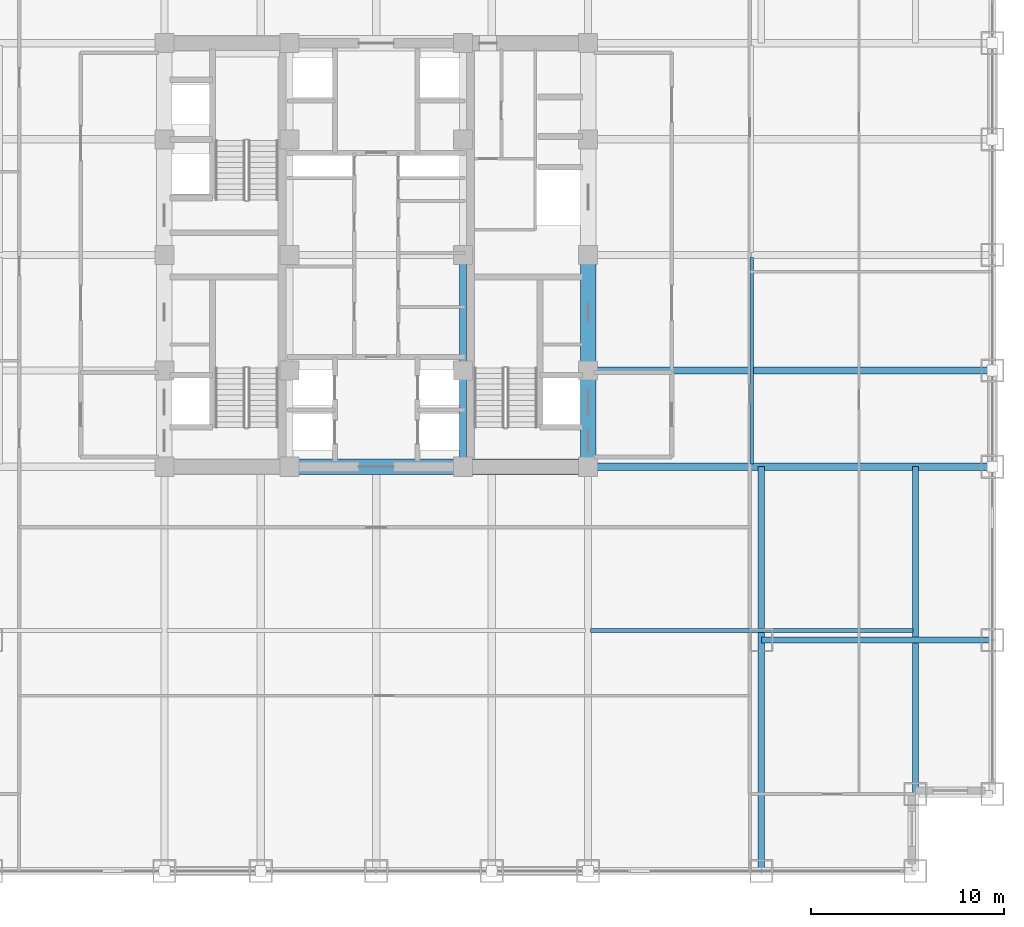
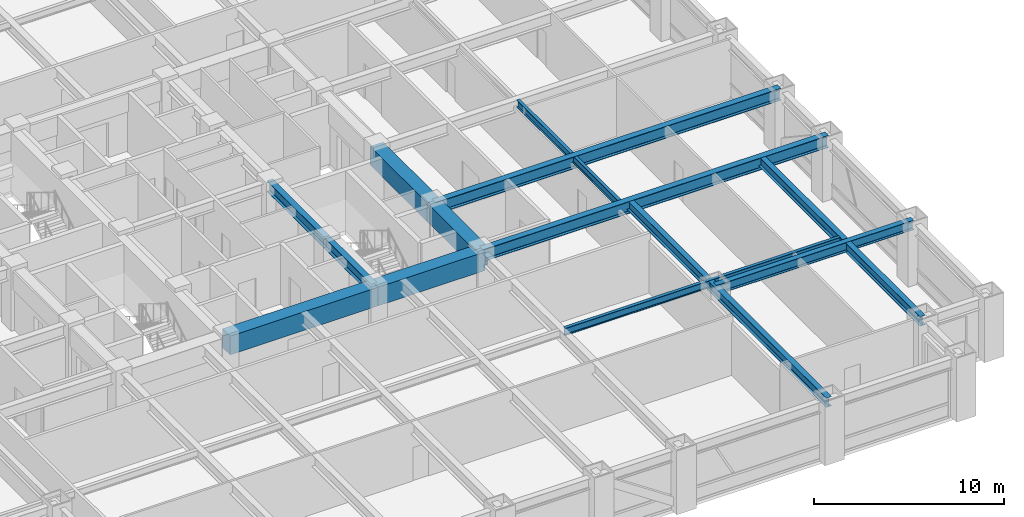
# One storey, part 7 of 28: 13 beams.
"""IFC4 building model written with IfcOpenShell, lengths in metres."""

from ifc_helpers import new_model, si_unit, direction, frame, origin, origin_2d, place, context, subcontext, project, spatial, rectangle, i_section, extrude, source, transform, mapped, material, material_profile, profile_set, type_object, element, save


model = new_model("IFC4")

# Units and contexts
model_context = context("Model", 3, precision=1e-05, world=origin(), true_north=direction((0.0, 1.0)))
body_context = subcontext(model_context, "Body", "Model", "MODEL_VIEW")
ifc_project = project(units=[si_unit("LENGTHUNIT", "METRE"), si_unit("AREAUNIT", "SQUARE_METRE"), si_unit("VOLUMEUNIT", "CUBIC_METRE"), si_unit("PLANEANGLEUNIT", "RADIAN"), si_unit("MASSUNIT", "GRAM", prefix="KILO")], contexts=[model_context])

# Site, building, storey
site_placement = place(None, origin())
site = spatial("IfcSite", under=ifc_project, at=site_placement, CompositionType="ELEMENT")
building_placement = place(site_placement, origin())
building = spatial("IfcBuilding", under=site, at=building_placement, Name="Khorayat Bourse Tower", CompositionType="ELEMENT")
storey_placement = place(building_placement, frame((0.0, 0.0, 116.0)))
storey = spatial("IfcBuildingStorey", under=building, at=storey_placement, Name="L26", CompositionType="ELEMENT", Elevation=116.0)

# Beams
ifc_material_1 = material(Name="Concrete C72/90", Category="concrete")
ifc_material_profile_1 = material_profile(ifc_material_1, rectangle(XDim=0.800048828125, YDim=1.199951171875, at=origin_2d()), Name="RC 800x1200")
ifc_profile_set_1 = profile_set([ifc_material_profile_1], Name="Concrete C72/90")
beam_type_1 = type_object("IfcBeamType", Name="BM-COUP-1200", PredefinedType="BEAM", material=ifc_profile_set_1)
shared_shape_1 = source(origin(), body_context, "Body", "SweptSolid", [
    extrude(rectangle(XDim=0.800048828125, YDim=1.199951171875, at=origin_2d()), origin(), (0.0, 0.0, 1.0), 5.0),
])
beam_1_placement = place(storey_placement, frame((11.0, -11.0, 3.239990234375), z_axis=(0.0, 1.0, 0.0), x_axis=(-1.0, 0.0, 0.0)))
element("IfcBeam", 1, at=beam_1_placement, inside=storey, type_object=beam_type_1, Name="L26 BM-COUP-1200 BM-L26-CRX-13", PredefinedType="BEAM", context=body_context, shape_type="MappedRepresentation", body=[
    mapped(shared_shape_1, transform((0.0, 0.0, 0.0), scale=1.0)),
])
shared_shape_2 = source(origin(), body_context, "Body", "SweptSolid", [
    extrude(rectangle(XDim=0.800048828125, YDim=1.199951171875, at=origin_2d()), origin(), (0.0, 0.0, 1.0), 6.0),
])
beam_2_placement = place(storey_placement, frame((11.0, -6.0, 3.239990234375), z_axis=(0.0, 1.0, 0.0), x_axis=(-1.0, 0.0, 0.0)))
element("IfcBeam", 2, at=beam_2_placement, inside=storey, type_object=beam_type_1, Name="L26 BM-COUP-1200 BM-L26-CRX-14", PredefinedType="BEAM", context=body_context, shape_type="MappedRepresentation", body=[
    mapped(shared_shape_2, transform((0.0, 0.0, 0.0), scale=1.0)),
])
ifc_material_2 = material(Name="Steel ASTM A992 Grade 50", Category="steel")
ifc_material_profile_2 = material_profile(ifc_material_2, i_section(OverallWidth=0.35498046875, OverallDepth=0.695068359375, WebThickness=0.015380859375, FlangeThickness=0.02490234375, FilletRadius=0.01806640625, at=origin_2d()), Name="W690X217")
ifc_profile_set_2 = profile_set([ifc_material_profile_2], Name="Steel ASTM A992 Grade 50")
beam_type_2 = type_object("IfcBeamType", Name="BM-GIRD-690", PredefinedType="BEAM", material=ifc_profile_set_2)
shared_shape_3 = source(origin(), body_context, "Body", "SweptSolid", [
    extrude(i_section(OverallWidth=0.35498046875, OverallDepth=0.695068359375, WebThickness=0.015380859375, FlangeThickness=0.02490234375, FilletRadius=0.01806640625, at=origin_2d()), origin(), (0.0, 0.0, 1.0), 5.0),
])
beam_3_placement = place(storey_placement, frame((4.5, -11.0, 3.492431640625), z_axis=(0.0, 1.0, 0.0), x_axis=(-1.0, 0.0, 0.0)))
element("IfcBeam", 3, at=beam_3_placement, inside=storey, type_object=beam_type_2, Name="L26 BM-GIRD-690 BM-L26-CRX-09", PredefinedType="BEAM", context=body_context, shape_type="MappedRepresentation", body=[
    mapped(shared_shape_3, transform((0.0, 0.0, 0.0), scale=1.0)),
])
shared_shape_4 = source(origin(), body_context, "Body", "SweptSolid", [
    extrude(i_section(OverallWidth=0.35498046875, OverallDepth=0.695068359375, WebThickness=0.015380859375, FlangeThickness=0.02490234375, FilletRadius=0.01806640625, at=origin_2d()), origin(), (0.0, 0.0, 1.0), 6.0),
])
beam_4_placement = place(storey_placement, frame((4.5, -6.0, 3.492431640625), z_axis=(0.0, 1.0, 0.0), x_axis=(-1.0, 0.0, 0.0)))
element("IfcBeam", 4, at=beam_4_placement, inside=storey, type_object=beam_type_2, Name="L26 BM-GIRD-690 BM-L26-CRX-10", PredefinedType="BEAM", context=body_context, shape_type="MappedRepresentation", body=[
    mapped(shared_shape_4, transform((0.0, 0.0, 0.0), scale=1.0)),
])
shared_shape_5 = source(origin(), body_context, "Body", "SweptSolid", [
    extrude(rectangle(XDim=0.800048828125, YDim=1.199951171875, at=origin_2d()), origin(), (0.0, 0.0, 1.0), 6.5),
])
beam_5_placement = place(storey_placement, frame((4.5, -11.0, 3.239990234375), z_axis=(1.0, 0.0, 0.0), x_axis=(0.0, 1.0, 0.0)))
element("IfcBeam", 5, at=beam_5_placement, inside=storey, type_object=beam_type_1, Name="L26 BM-COUP-1200 BM-L26-CRY-19", PredefinedType="BEAM", context=body_context, shape_type="MappedRepresentation", body=[
    mapped(shared_shape_5, transform((0.0, 0.0, 0.0), scale=1.0)),
])
shared_shape_6 = source(origin(), body_context, "Body", "SweptSolid", [
    extrude(rectangle(XDim=0.800048828125, YDim=1.199951171875, at=origin_2d()), origin(), (0.0, 0.0, 1.0), 9.0),
])
beam_6_placement = place(storey_placement, frame((-4.5, -11.0, 3.239990234375), z_axis=(1.0, 0.0, 0.0), x_axis=(0.0, 1.0, 0.0)))
element("IfcBeam", 6, at=beam_6_placement, inside=storey, type_object=beam_type_1, Name="L26 BM-COUP-1200 BM-L26-CRY-18", PredefinedType="BEAM", context=body_context, shape_type="MappedRepresentation", body=[
    mapped(shared_shape_6, transform((0.0, 0.0, 0.0), scale=1.0)),
])
ifc_material_profile_3 = material_profile(ifc_material_2, i_section(OverallWidth=0.324951171875, OverallDepth=0.615966796875, WebThickness=0.013916015625, FlangeThickness=0.021484375, FilletRadius=0.01611328125, at=origin_2d()), Name="W610X174")
ifc_profile_set_3 = profile_set([ifc_material_profile_3], Name="Steel ASTM A992 Grade 50")
beam_type_3 = type_object("IfcBeamType", Name="BM-GIRD-610", PredefinedType="BEAM", material=ifc_profile_set_3)
shared_shape_7 = source(origin(), body_context, "Body", "SweptSolid", [
    extrude(i_section(OverallWidth=0.324951171875, OverallDepth=0.615966796875, WebThickness=0.013916015625, FlangeThickness=0.021484375, FilletRadius=0.01611328125, at=origin_2d()), origin(), (0.0, 0.0, 1.0), 21.0),
])
beam_7_placement = place(storey_placement, frame((20.0, -32.0, 3.531982421875), z_axis=(0.0, 1.0, 0.0), x_axis=(-1.0, 0.0, 0.0)))
element("IfcBeam", 7, at=beam_7_placement, inside=storey, type_object=beam_type_3, Name="L26 BM-GIRD-610 BM-L26-CNRY-086", PredefinedType="BEAM", context=body_context, shape_type="MappedRepresentation", body=[
    mapped(shared_shape_7, transform((0.0, 0.0, 0.0), scale=1.0)),
])
shared_shape_8 = source(origin(), body_context, "Body", "SweptSolid", [
    extrude(i_section(OverallWidth=0.324951171875, OverallDepth=0.615966796875, WebThickness=0.013916015625, FlangeThickness=0.021484375, FilletRadius=0.01611328125, at=origin_2d()), origin(), (0.0, 0.0, 1.0), 12.0),
])
beam_8_placement = place(storey_placement, frame((20.0, -20.0, 3.531982421875), z_axis=(1.0, 0.0, 0.0), x_axis=(0.0, 1.0, 0.0)))
element("IfcBeam", 8, at=beam_8_placement, inside=storey, type_object=beam_type_3, Name="L26 BM-GIRD-610 BM-L26-CNRX-092", PredefinedType="BEAM", context=body_context, shape_type="MappedRepresentation", body=[
    mapped(shared_shape_8, transform((0.0, 0.0, 0.0), scale=1.0)),
])
ifc_material_profile_4 = material_profile(ifc_material_2, i_section(OverallWidth=0.194091796875, OverallDepth=0.468994140625, WebThickness=0.0126953125, FlangeThickness=0.0205078125, FilletRadius=0.012939453125, at=origin_2d()), Name="W460X106")
ifc_profile_set_4 = profile_set([ifc_material_profile_4], Name="Steel ASTM A992 Grade 50")
beam_type_4 = type_object("IfcBeamType", Name="BM-JOIST-460", PredefinedType="JOIST", material=ifc_profile_set_4)
shared_shape_9 = source(origin(), body_context, "Body", "SweptSolid", [
    extrude(i_section(OverallWidth=0.194091796875, OverallDepth=0.468994140625, WebThickness=0.0126953125, FlangeThickness=0.0205078125, FilletRadius=0.012939453125, at=origin_2d()), origin(), (0.0, 0.0, 1.0), 10.740234375),
])
beam_9_placement = place(storey_placement, frame((19.5, -10.8701171875, 3.60546875), z_axis=(0.0, 1.0, 0.0), x_axis=(-1.0, 0.0, 0.0)))
element("IfcBeam", 9, at=beam_9_placement, inside=storey, type_object=beam_type_4, Name="L26 BM-JOIST-460 BM-L26-JSTY-104", PredefinedType="JOIST", context=body_context, shape_type="MappedRepresentation", body=[
    mapped(shared_shape_9, transform((0.0, 0.0, 0.0), scale=1.0)),
])
ifc_material_profile_5 = material_profile(ifc_material_2, i_section(OverallWidth=0.381103515625, OverallDepth=0.77294921875, WebThickness=0.0166015625, FlangeThickness=0.027587890625, FilletRadius=0.01806640625, at=origin_2d()), Name="W760X257")
ifc_profile_set_5 = profile_set([ifc_material_profile_5], Name="Steel ASTM A992 Grade 50")
beam_type_5 = type_object("IfcBeamType", Name="BM-GIRD-760", PredefinedType="BEAM", material=ifc_profile_set_5)
shared_shape_10 = source(origin(), body_context, "Body", "SweptSolid", [
    extrude(i_section(OverallWidth=0.381103515625, OverallDepth=0.77294921875, WebThickness=0.0166015625, FlangeThickness=0.027587890625, FilletRadius=0.01806640625, at=origin_2d()), origin(), (0.0, 0.0, 1.0), 21.0),
])
for number, where, z_axis, x_axis, name in (
    (10, (11.0, -11.0, 3.45361328125), (1.0, 0.0, 0.0), (0.0, 1.0, 0.0), "L26 BM-GIRD-760 BM-L26-RADX-074"),
    (11, (11.0, -6.0, 3.45361328125), (1.0, 0.0, 0.0), (0.0, 1.0, 0.0), "L26 BM-GIRD-760 BM-L26-RADX-076"),
):
    element("IfcBeam", number, at=place(storey_placement, frame(where, z_axis=z_axis, x_axis=x_axis)), inside=storey, type_object=beam_type_5, Name=name, PredefinedType="BEAM", context=body_context, shape_type="MappedRepresentation", body=[
        mapped(shared_shape_10, transform((0.0, 0.0, 0.0), scale=1.0)),
    ])
shared_shape_11 = source(origin(), body_context, "Body", "SweptSolid", [
    extrude(i_section(OverallWidth=0.324951171875, OverallDepth=0.615966796875, WebThickness=0.013916015625, FlangeThickness=0.021484375, FilletRadius=0.01611328125, at=origin_2d()), origin(), (0.0, 0.0, 1.0), 17.0),
])
beam_10_placement = place(storey_placement, frame((28.0, -28.0, 3.531982421875), z_axis=(0.0, 1.0, 0.0), x_axis=(-1.0, 0.0, 0.0)))
element("IfcBeam", 12, at=beam_10_placement, inside=storey, type_object=beam_type_3, Name="L26 BM-GIRD-610 BM-L26-CNRY-090", PredefinedType="BEAM", context=body_context, shape_type="MappedRepresentation", body=[
    mapped(shared_shape_11, transform((0.0, 0.0, 0.0), scale=1.0)),
])
shared_shape_12 = source(origin(), body_context, "Body", "SweptSolid", [
    extrude(i_section(OverallWidth=0.194091796875, OverallDepth=0.468994140625, WebThickness=0.0126953125, FlangeThickness=0.0205078125, FilletRadius=0.012939453125, at=origin_2d()), origin(), (0.0, 0.0, 1.0), 16.740234375),
])
beam_11_placement = place(storey_placement, frame((11.1298828125, -19.5, 3.60546875), z_axis=(1.0, 0.0, 0.0), x_axis=(0.0, 1.0, 0.0)))
element("IfcBeam", 13, at=beam_11_placement, inside=storey, type_object=beam_type_4, Name="L26 BM-JOIST-460 BM-L26-JSTX-098", PredefinedType="JOIST", context=body_context, shape_type="MappedRepresentation", body=[
    mapped(shared_shape_12, transform((0.0, 0.0, 0.0), scale=1.0)),
])

save(model, "model.ifc")
